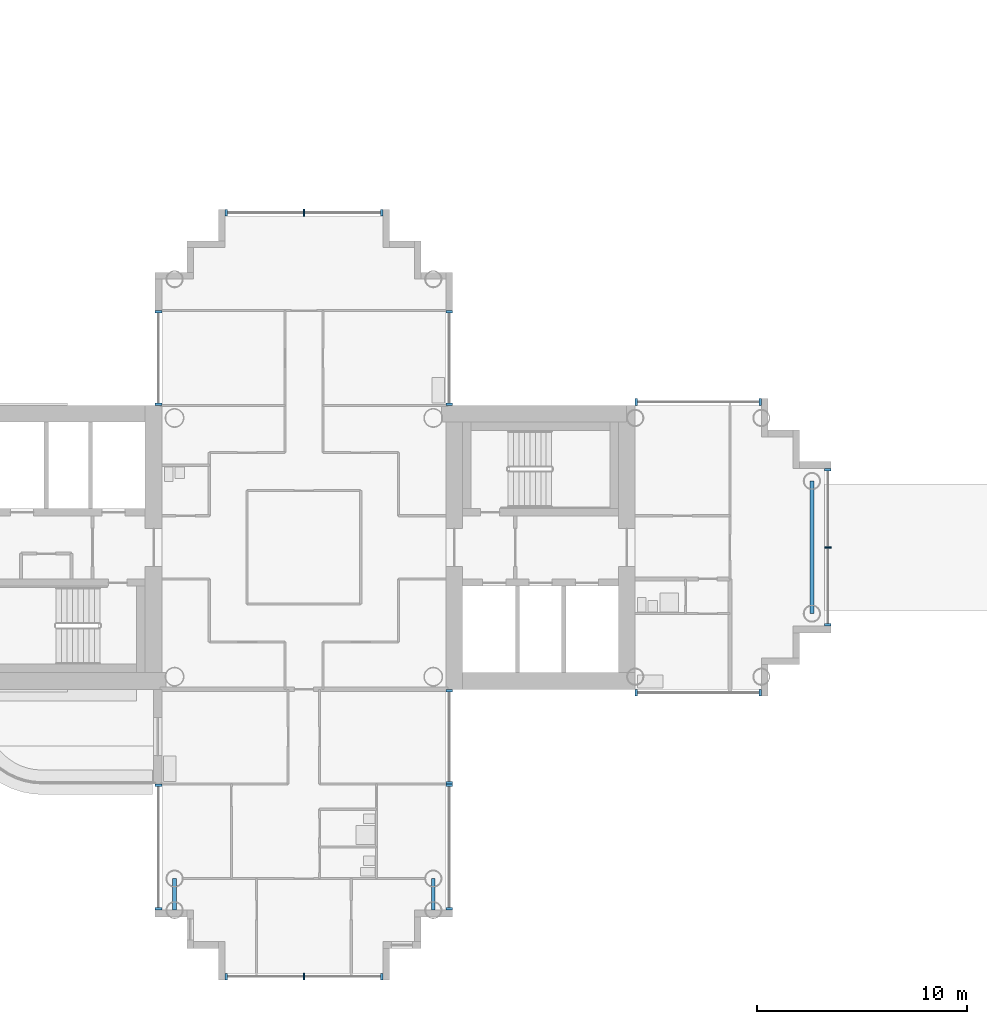
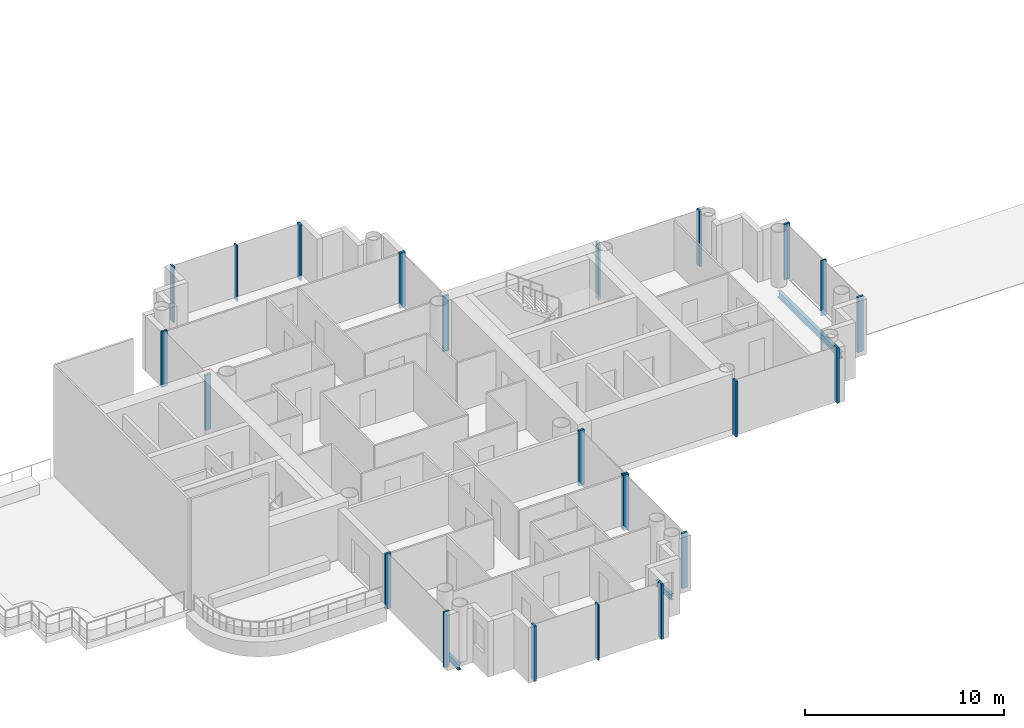
# One storey, part 3 of 19: 23 members, 3 beams, 10 elements without a shape of their own.
"""IFC4 building model written with IfcOpenShell, lengths in metres."""

from ifc_helpers import new_model, si_unit, direction, frame, origin, origin_2d, place, context, subcontext, project, spatial, rectangle, i_section, extrude, material, layer, layer_set, material_profile, profile_set, type_object, element, aggregate, save


model = new_model("IFC4")

# Units and contexts
model_context = context("Model", 3, precision=1e-05, world=origin(), true_north=direction((0.0, 1.0)))
body_context = subcontext(model_context, "Body", "Model", "MODEL_VIEW")
ifc_project = project(units=[si_unit("LENGTHUNIT", "METRE"), si_unit("AREAUNIT", "SQUARE_METRE"), si_unit("VOLUMEUNIT", "CUBIC_METRE"), si_unit("PLANEANGLEUNIT", "RADIAN"), si_unit("MASSUNIT", "GRAM", prefix="KILO")], contexts=[model_context])

# Site, building, storey
site_placement = place(None, origin())
site = spatial("IfcSite", under=ifc_project, at=site_placement, CompositionType="ELEMENT")
building_placement = place(site_placement, origin())
building = spatial("IfcBuilding", under=site, at=building_placement, Name="Ipe Terrace Towers", CompositionType="ELEMENT")
storey_placement = place(building_placement, frame((0.0, 0.0, 133.699951171875)))
storey = spatial("IfcBuildingStorey", under=building, at=storey_placement, Name="L36", CompositionType="ELEMENT", Elevation=133.699951171875)

# Beams
ifc_material_1 = material(Name="Steel S355", Category="steel")
ifc_material_profile_1 = material_profile(ifc_material_1, i_section(OverallWidth=0.175048828125, OverallDepth=0.35009765625, WebThickness=0.007080078125, FlangeThickness=0.010986328125, at=origin_2d()), Name="H-350x175x7x11")
ifc_profile_set_1 = profile_set([ifc_material_profile_1], Name="Steel S355")
beam_type_1 = type_object("IfcBeamType", Name="H04 EDGE BEAM H-350x175x7x11", PredefinedType="BEAM", material=ifc_profile_set_1)
for number, where, z_axis, x_axis, name in (
    (1, (-42.14990234375, -15.75, -0.574951171875), (0.0, -1.0, 0.0), (1.0, 0.0, 0.0), "Edge beam T1-EB-D03-D05"),
    (2, (-29.85009765625, -15.75, -0.574951171875), (0.0, -1.0, 0.0), (1.0, 0.0, 0.0), "Edge beam T1-EB-D04-D06"),
):
    element("IfcBeam", number, at=place(storey_placement, frame(where, z_axis=z_axis, x_axis=x_axis)), inside=storey, type_object=beam_type_1, Name=name, PredefinedType="BEAM", context=body_context, shape_type="SweptSolid", body=[
        extrude(i_section(OverallWidth=0.175048828125, OverallDepth=0.35009765625, WebThickness=0.007080078125, FlangeThickness=0.010986328125, at=origin_2d()), origin(), (0.0, 0.0, 1.0), 1.5),
    ])
ifc_material_2 = material(Name="Steel S355", Category="steel")
ifc_material_profile_2 = material_profile(ifc_material_2, i_section(OverallWidth=0.199951171875, OverallDepth=0.39990234375, WebThickness=0.008056640625, FlangeThickness=0.012939453125, at=origin_2d()), Name="H-400x200x8x13")
ifc_profile_set_2 = profile_set([ifc_material_profile_2], Name="Steel S355")
beam_type_2 = type_object("IfcBeamType", Name="H06 EDGE BEAM H-400x200x8x13", PredefinedType="BEAM", material=ifc_profile_set_2)
beam_placement = place(storey_placement, frame((-11.85009765625, -3.14990234375, -0.599853515625), z_axis=(0.0, 1.0, 0.0), x_axis=(-1.0, 0.0, 0.0)))
element("IfcBeam", 3, at=beam_placement, inside=storey, type_object=beam_type_2, Name="Edge beam T1-EB-A05-A06", PredefinedType="BEAM", context=body_context, shape_type="SweptSolid", body=[
    extrude(i_section(OverallWidth=0.199951171875, OverallDepth=0.39990234375, WebThickness=0.008056640625, FlangeThickness=0.012939453125, at=origin_2d()), origin(), (0.0, 0.0, 1.0), 6.2998046875),
])

# Curtain wall, members
ifc_material_3 = material(Name="Aluminium alloy 6063-T6", Category="aluminium")
ifc_layer = layer(ifc_material_3, 0.320068359375)
ifc_layer_set = layer_set([ifc_layer], Name="TOWER UNITISED CURTAIN WALL")
curtain_wall_type = type_object("IfcCurtainWallType", Name="TOWER UNITISED CURTAIN WALL", PredefinedType="NOTDEFINED", material=ifc_layer_set)
curtain_wall_1_placement = place(storey_placement, origin())
curtain_wall_1 = element("IfcCurtainWall", 4, at=curtain_wall_1_placement, inside=storey, type_object=curtain_wall_type, Name="T1-CW-L36-03a curtain wall", PredefinedType="NOTDEFINED")
ifc_material_4 = material(Name="Aluminium alloy 6063-T6", Category="aluminium")
ifc_material_profile_3 = material_profile(ifc_material_4, rectangle(XDim=0.320068359375, YDim=0.1201171875, at=origin_2d()), Name="TOWER UNITISED CORNER MULLION 320 x 120")
ifc_profile_set_3 = profile_set([ifc_material_profile_3], Name="Aluminium alloy 6063-T6")
member_type_1 = type_object("IfcMemberType", Name="TOWER UNITISED CORNER MULLION 320 x 120", PredefinedType="MULLION", material=ifc_profile_set_3)
member_1_placement = place(storey_placement, frame((-42.909912109375, -11.31005859375, -0.300048828125), z_axis=(0.0, 0.0, 1.0), x_axis=(-1.0, 0.0, 0.0)))
member_1 = element("IfcMember", 5, at=member_1_placement, type_object=member_type_1, Name="T1-CW-L36-03a mullion 1", PredefinedType="MULLION", context=body_context, shape_type="SweptSolid", body=[
    extrude(rectangle(XDim=0.320068359375, YDim=0.1201171875, at=origin_2d()), origin(), (0.0, 0.0, 1.0), 3.400146484375),
])
member_2_placement = place(storey_placement, frame((-42.909912109375, -17.18994140625, -0.300048828125), z_axis=(0.0, 0.0, 1.0), x_axis=(-1.0, 0.0, 0.0)))
member_2 = element("IfcMember", 6, at=member_2_placement, type_object=member_type_1, Name="T1-CW-L36-03a mullion 2", PredefinedType="MULLION", context=body_context, shape_type="SweptSolid", body=[
    extrude(rectangle(XDim=0.320068359375, YDim=0.1201171875, at=origin_2d()), origin(), (0.0, 0.0, 1.0), 3.400146484375),
])
aggregate(curtain_wall_1, [member_1, member_2])

curtain_wall_2_placement = place(storey_placement, origin())
curtain_wall_2 = element("IfcCurtainWall", 7, at=curtain_wall_2_placement, inside=storey, type_object=curtain_wall_type, Name="T1-CW-L36-08a curtain wall", PredefinedType="NOTDEFINED")
member_3_placement = place(storey_placement, frame((-39.68994140625, -20.409912109375, -0.300048828125), z_axis=(0.0, 0.0, 1.0), x_axis=(0.0, -1.0, 0.0)))
member_3 = element("IfcMember", 8, at=member_3_placement, type_object=member_type_1, Name="T1-CW-L36-08a mullion 1", PredefinedType="MULLION", context=body_context, shape_type="SweptSolid", body=[
    extrude(rectangle(XDim=0.320068359375, YDim=0.1201171875, at=origin_2d()), origin(), (0.0, 0.0, 1.0), 3.400146484375),
])
member_4_placement = place(storey_placement, frame((-32.31005859375, -20.409912109375, -0.300048828125), z_axis=(0.0, 0.0, 1.0), x_axis=(0.0, -1.0, 0.0)))
member_4 = element("IfcMember", 9, at=member_4_placement, type_object=member_type_1, Name="T1-CW-L36-08a mullion 3", PredefinedType="MULLION", context=body_context, shape_type="SweptSolid", body=[
    extrude(rectangle(XDim=0.320068359375, YDim=0.1201171875, at=origin_2d()), origin(), (0.0, 0.0, 1.0), 3.400146484375),
])

curtain_wall_3_placement = place(storey_placement, origin())
curtain_wall_3 = element("IfcCurtainWall", 10, at=curtain_wall_3_placement, inside=storey, type_object=curtain_wall_type, Name="T1-CW-L36-13a curtain wall", PredefinedType="NOTDEFINED")
member_5_placement = place(storey_placement, frame((-29.090087890625, -17.18994140625, -0.300048828125), z_axis=(0.0, 0.0, 1.0), x_axis=(1.0, 0.0, 0.0)))
member_5 = element("IfcMember", 11, at=member_5_placement, type_object=member_type_1, Name="T1-CW-L36-13a mullion 1", PredefinedType="MULLION", context=body_context, shape_type="SweptSolid", body=[
    extrude(rectangle(XDim=0.320068359375, YDim=0.1201171875, at=origin_2d()), origin(), (0.0, 0.0, 1.0), 3.400146484375),
])
member_6_placement = place(storey_placement, frame((-29.090087890625, -11.31005859375, -0.300048828125), z_axis=(0.0, 0.0, 1.0), x_axis=(1.0, 0.0, 0.0)))
member_6 = element("IfcMember", 12, at=member_6_placement, type_object=member_type_1, Name="T1-CW-L36-13a mullion 2", PredefinedType="MULLION", context=body_context, shape_type="SweptSolid", body=[
    extrude(rectangle(XDim=0.320068359375, YDim=0.1201171875, at=origin_2d()), origin(), (0.0, 0.0, 1.0), 3.400146484375),
])
aggregate(curtain_wall_3, [member_5, member_6])

curtain_wall_4_placement = place(storey_placement, origin())
curtain_wall_4 = element("IfcCurtainWall", 13, at=curtain_wall_4_placement, inside=storey, type_object=curtain_wall_type, Name="T1-CW-L36-14a curtain wall", PredefinedType="NOTDEFINED")
member_7_placement = place(storey_placement, frame((-29.090087890625, -11.18994140625, -0.300048828125), z_axis=(0.0, 0.0, 1.0), x_axis=(1.0, 0.0, 0.0)))
member_7 = element("IfcMember", 14, at=member_7_placement, type_object=member_type_1, Name="T1-CW-L36-14a mullion 1", PredefinedType="MULLION", context=body_context, shape_type="SweptSolid", body=[
    extrude(rectangle(XDim=0.320068359375, YDim=0.1201171875, at=origin_2d()), origin(), (0.0, 0.0, 1.0), 3.400146484375),
])
member_8_placement = place(storey_placement, frame((-29.090087890625, -6.81005859375, -0.300048828125), z_axis=(0.0, 0.0, 1.0), x_axis=(1.0, 0.0, 0.0)))
member_8 = element("IfcMember", 15, at=member_8_placement, type_object=member_type_1, Name="T1-CW-L36-14a mullion 2", PredefinedType="MULLION", context=body_context, shape_type="SweptSolid", body=[
    extrude(rectangle(XDim=0.320068359375, YDim=0.1201171875, at=origin_2d()), origin(), (0.0, 0.0, 1.0), 3.400146484375),
])
aggregate(curtain_wall_4, [member_7, member_8])

curtain_wall_5_placement = place(storey_placement, origin())
curtain_wall_5 = element("IfcCurtainWall", 16, at=curtain_wall_5_placement, inside=storey, type_object=curtain_wall_type, Name="T1-CW-L36-16b curtain wall", PredefinedType="NOTDEFINED")
member_9_placement = place(storey_placement, frame((-20.18896484375, -6.909912109375, -0.300048828125), z_axis=(0.0, 0.0, 1.0), x_axis=(0.0, -1.0, 0.0)))
member_9 = element("IfcMember", 17, at=member_9_placement, type_object=member_type_1, Name="T1-CW-L36-16b mullion 1", PredefinedType="MULLION", context=body_context, shape_type="SweptSolid", body=[
    extrude(rectangle(XDim=0.320068359375, YDim=0.1201171875, at=origin_2d()), origin(), (0.0, 0.0, 1.0), 3.400146484375),
])
member_10_placement = place(storey_placement, frame((-14.31005859375, -6.909912109375, -0.300048828125), z_axis=(0.0, 0.0, 1.0), x_axis=(0.0, -1.0, 0.0)))
member_10 = element("IfcMember", 18, at=member_10_placement, type_object=member_type_1, Name="T1-CW-L36-16b mullion 2", PredefinedType="MULLION", context=body_context, shape_type="SweptSolid", body=[
    extrude(rectangle(XDim=0.320068359375, YDim=0.1201171875, at=origin_2d()), origin(), (0.0, 0.0, 1.0), 3.400146484375),
])
aggregate(curtain_wall_5, [member_9, member_10])

curtain_wall_6_placement = place(storey_placement, origin())
curtain_wall_6 = element("IfcCurtainWall", 19, at=curtain_wall_6_placement, inside=storey, type_object=curtain_wall_type, Name="T1-CW-L36-21a curtain wall", PredefinedType="NOTDEFINED")
member_11_placement = place(storey_placement, frame((-11.090087890625, -3.68994140625, -0.300048828125), z_axis=(0.0, 0.0, 1.0), x_axis=(1.0, 0.0, 0.0)))
member_11 = element("IfcMember", 20, at=member_11_placement, type_object=member_type_1, Name="T1-CW-L36-21a mullion 1", PredefinedType="MULLION", context=body_context, shape_type="SweptSolid", body=[
    extrude(rectangle(XDim=0.320068359375, YDim=0.1201171875, at=origin_2d()), origin(), (0.0, 0.0, 1.0), 3.400146484375),
])
member_12_placement = place(storey_placement, frame((-11.090087890625, 3.68994140625, -0.300048828125), z_axis=(0.0, 0.0, 1.0), x_axis=(1.0, 0.0, 0.0)))
member_12 = element("IfcMember", 21, at=member_12_placement, type_object=member_type_1, Name="T1-CW-L36-21a mullion 3", PredefinedType="MULLION", context=body_context, shape_type="SweptSolid", body=[
    extrude(rectangle(XDim=0.320068359375, YDim=0.1201171875, at=origin_2d()), origin(), (0.0, 0.0, 1.0), 3.400146484375),
])

curtain_wall_7_placement = place(storey_placement, origin())
curtain_wall_7 = element("IfcCurtainWall", 22, at=curtain_wall_7_placement, inside=storey, type_object=curtain_wall_type, Name="T1-CW-L36-26a curtain wall", PredefinedType="NOTDEFINED")
member_13_placement = place(storey_placement, frame((-14.31005859375, 6.909912109375, -0.300048828125), z_axis=(0.0, 0.0, 1.0), x_axis=(0.0, 1.0, 0.0)))
member_13 = element("IfcMember", 23, at=member_13_placement, type_object=member_type_1, Name="T1-CW-L36-26a mullion 1", PredefinedType="MULLION", context=body_context, shape_type="SweptSolid", body=[
    extrude(rectangle(XDim=0.320068359375, YDim=0.1201171875, at=origin_2d()), origin(), (0.0, 0.0, 1.0), 3.400146484375),
])
member_14_placement = place(storey_placement, frame((-20.18896484375, 6.909912109375, -0.300048828125), z_axis=(0.0, 0.0, 1.0), x_axis=(0.0, 1.0, 0.0)))
member_14 = element("IfcMember", 24, at=member_14_placement, type_object=member_type_1, Name="T1-CW-L36-26a mullion 2", PredefinedType="MULLION", context=body_context, shape_type="SweptSolid", body=[
    extrude(rectangle(XDim=0.320068359375, YDim=0.1201171875, at=origin_2d()), origin(), (0.0, 0.0, 1.0), 3.400146484375),
])
aggregate(curtain_wall_7, [member_13, member_14])

curtain_wall_8_placement = place(storey_placement, origin())
curtain_wall_8 = element("IfcCurtainWall", 25, at=curtain_wall_8_placement, inside=storey, type_object=curtain_wall_type, Name="T1-CW-L36-28a curtain wall", PredefinedType="NOTDEFINED")
member_15_placement = place(storey_placement, frame((-29.090087890625, 6.81005859375, -0.300048828125), z_axis=(0.0, 0.0, 1.0), x_axis=(1.0, 0.0, 0.0)))
member_15 = element("IfcMember", 26, at=member_15_placement, type_object=member_type_1, Name="T1-CW-L36-28a mullion 1", PredefinedType="MULLION", context=body_context, shape_type="SweptSolid", body=[
    extrude(rectangle(XDim=0.320068359375, YDim=0.1201171875, at=origin_2d()), origin(), (0.0, 0.0, 1.0), 3.400146484375),
])
member_16_placement = place(storey_placement, frame((-29.090087890625, 11.18994140625, -0.300048828125), z_axis=(0.0, 0.0, 1.0), x_axis=(1.0, 0.0, 0.0)))
member_16 = element("IfcMember", 27, at=member_16_placement, type_object=member_type_1, Name="T1-CW-L36-28a mullion 2", PredefinedType="MULLION", context=body_context, shape_type="SweptSolid", body=[
    extrude(rectangle(XDim=0.320068359375, YDim=0.1201171875, at=origin_2d()), origin(), (0.0, 0.0, 1.0), 3.400146484375),
])
aggregate(curtain_wall_8, [member_15, member_16])

curtain_wall_9_placement = place(storey_placement, origin())
curtain_wall_9 = element("IfcCurtainWall", 28, at=curtain_wall_9_placement, inside=storey, type_object=curtain_wall_type, Name="T1-CW-L36-34a curtain wall", PredefinedType="NOTDEFINED")
member_17_placement = place(storey_placement, frame((-32.31005859375, 15.909912109375, -0.300048828125), z_axis=(0.0, 0.0, 1.0), x_axis=(0.0, 1.0, 0.0)))
member_17 = element("IfcMember", 29, at=member_17_placement, type_object=member_type_1, Name="T1-CW-L36-34a mullion 1", PredefinedType="MULLION", context=body_context, shape_type="SweptSolid", body=[
    extrude(rectangle(XDim=0.320068359375, YDim=0.1201171875, at=origin_2d()), origin(), (0.0, 0.0, 1.0), 3.400146484375),
])
member_18_placement = place(storey_placement, frame((-39.68994140625, 15.909912109375, -0.300048828125), z_axis=(0.0, 0.0, 1.0), x_axis=(0.0, 1.0, 0.0)))
member_18 = element("IfcMember", 30, at=member_18_placement, type_object=member_type_1, Name="T1-CW-L36-34a mullion 3", PredefinedType="MULLION", context=body_context, shape_type="SweptSolid", body=[
    extrude(rectangle(XDim=0.320068359375, YDim=0.1201171875, at=origin_2d()), origin(), (0.0, 0.0, 1.0), 3.400146484375),
])

curtain_wall_10_placement = place(storey_placement, origin())
curtain_wall_10 = element("IfcCurtainWall", 31, at=curtain_wall_10_placement, inside=storey, type_object=curtain_wall_type, Name="T1-CW-L36-40a curtain wall", PredefinedType="NOTDEFINED")
member_19_placement = place(storey_placement, frame((-42.909912109375, 11.18994140625, -0.300048828125), z_axis=(0.0, 0.0, 1.0), x_axis=(-1.0, 0.0, 0.0)))
member_19 = element("IfcMember", 32, at=member_19_placement, type_object=member_type_1, Name="T1-CW-L36-40a mullion 1", PredefinedType="MULLION", context=body_context, shape_type="SweptSolid", body=[
    extrude(rectangle(XDim=0.320068359375, YDim=0.1201171875, at=origin_2d()), origin(), (0.0, 0.0, 1.0), 3.400146484375),
])
member_20_placement = place(storey_placement, frame((-42.909912109375, 6.81005859375, -0.300048828125), z_axis=(0.0, 0.0, 1.0), x_axis=(-1.0, 0.0, 0.0)))
member_20 = element("IfcMember", 33, at=member_20_placement, type_object=member_type_1, Name="T1-CW-L36-40a mullion 2", PredefinedType="MULLION", context=body_context, shape_type="SweptSolid", body=[
    extrude(rectangle(XDim=0.320068359375, YDim=0.1201171875, at=origin_2d()), origin(), (0.0, 0.0, 1.0), 3.400146484375),
])
aggregate(curtain_wall_10, [member_19, member_20])

# Member
ifc_material_5 = material(Name="Aluminium alloy 6063-T6", Category="aluminium")
ifc_material_profile_4 = material_profile(ifc_material_5, rectangle(XDim=0.320068359375, YDim=0.06494140625, at=origin_2d()), Name="TOWER UNITISED MULLION 320 x 65")
ifc_profile_set_4 = profile_set([ifc_material_profile_4], Name="Aluminium alloy 6063-T6")
member_type_2 = type_object("IfcMemberType", Name="TOWER UNITISED MULLION 320 x 65", PredefinedType="MULLION", material=ifc_profile_set_4)
member_21_placement = place(storey_placement, frame((-36.0, -20.409912109375, -0.300048828125), z_axis=(0.0, 0.0, 1.0), x_axis=(0.0, -1.0, 0.0)))
member_21 = element("IfcMember", 34, at=member_21_placement, type_object=member_type_2, Name="T1-CW-L36-08a mullion 2", PredefinedType="MULLION", context=body_context, shape_type="SweptSolid", body=[
    extrude(rectangle(XDim=0.320068359375, YDim=0.06494140625, at=origin_2d()), origin(), (0.0, 0.0, 1.0), 3.400146484375),
])

aggregate(curtain_wall_2, [member_3, member_21, member_4])

member_22_placement = place(storey_placement, frame((-11.090087890625, 0.0, -0.300048828125), z_axis=(0.0, 0.0, 1.0), x_axis=(1.0, 0.0, 0.0)))
member_22 = element("IfcMember", 35, at=member_22_placement, type_object=member_type_2, Name="T1-CW-L36-21a mullion 2", PredefinedType="MULLION", context=body_context, shape_type="SweptSolid", body=[
    extrude(rectangle(XDim=0.320068359375, YDim=0.06494140625, at=origin_2d()), origin(), (0.0, 0.0, 1.0), 3.400146484375),
])

aggregate(curtain_wall_6, [member_11, member_22, member_12])

member_23_placement = place(storey_placement, frame((-36.0, 15.909912109375, -0.300048828125), z_axis=(0.0, 0.0, 1.0), x_axis=(0.0, 1.0, 0.0)))
member_23 = element("IfcMember", 36, at=member_23_placement, type_object=member_type_2, Name="T1-CW-L36-34a mullion 2", PredefinedType="MULLION", context=body_context, shape_type="SweptSolid", body=[
    extrude(rectangle(XDim=0.320068359375, YDim=0.06494140625, at=origin_2d()), origin(), (0.0, 0.0, 1.0), 3.400146484375),
])

aggregate(curtain_wall_9, [member_17, member_23, member_18])

save(model, "model.ifc")
